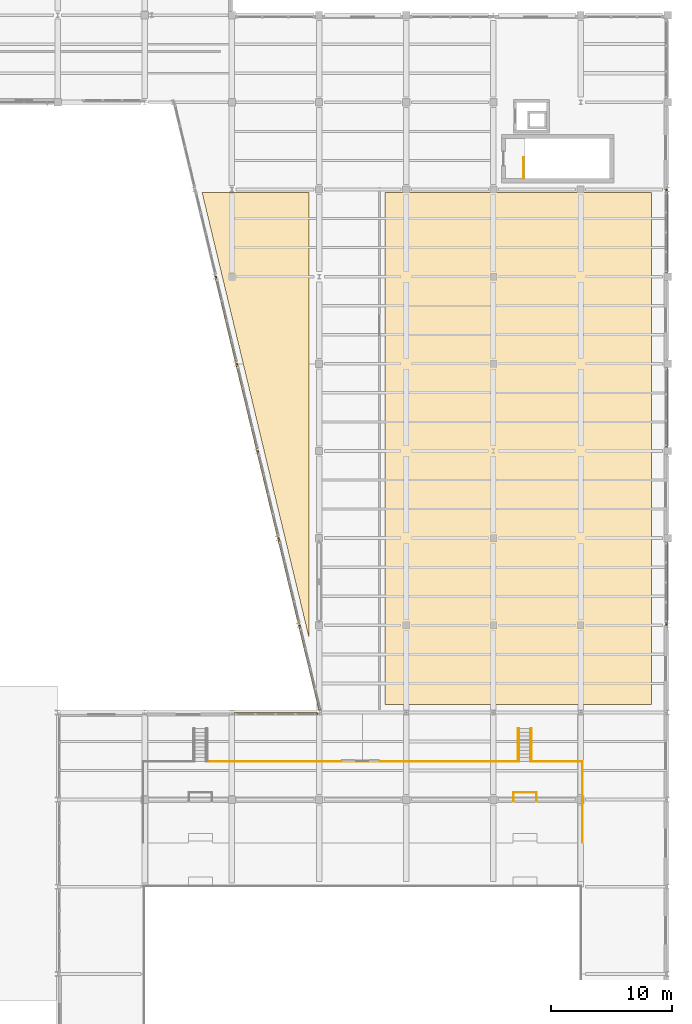
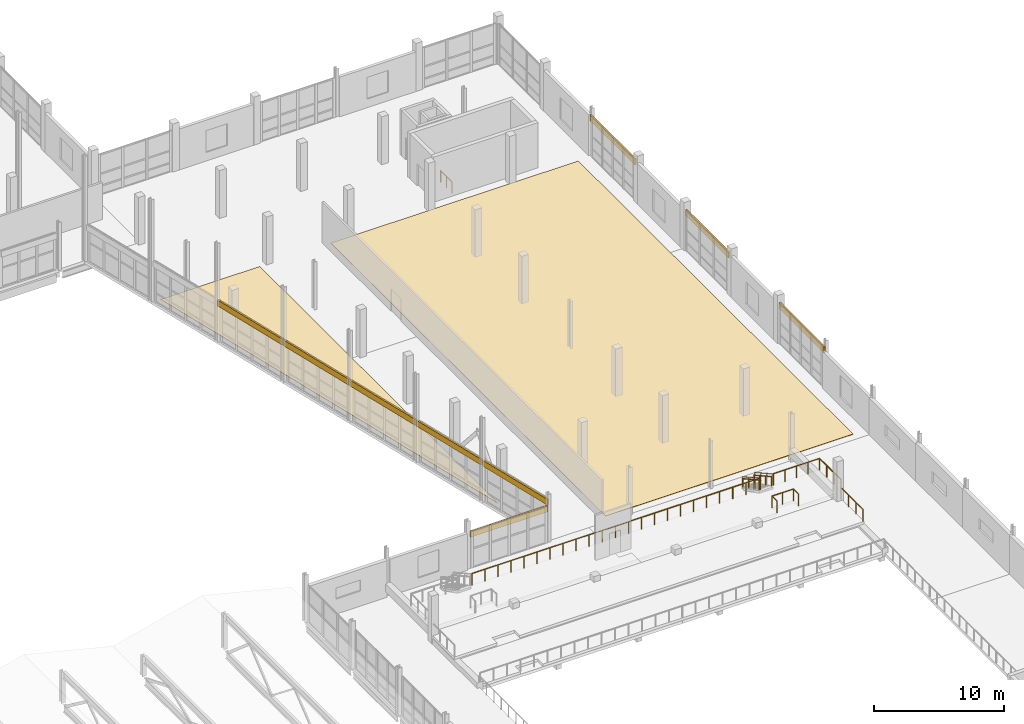
# One storey, part 122 of 123: 12 railings, 9 shading devices, 2 coverings.
"""IFC4 building model written with IfcOpenShell, lengths in metres."""

from ifc_helpers import new_model, si_unit, direction, frame, origin, origin_2d, place, context, subcontext, project, spatial, polyline, rectangle, circle, outline, extrude, material, layer, layer_set, type_object, element, save


model = new_model("IFC4")

# Units and contexts
model_context = context("Model", 3, precision=1e-05, world=origin(), true_north=direction((0.0, 1.0)))
body_context = subcontext(model_context, "Body", "Model", "MODEL_VIEW")
ifc_project = project(units=[si_unit("LENGTHUNIT", "METRE"), si_unit("AREAUNIT", "SQUARE_METRE"), si_unit("VOLUMEUNIT", "CUBIC_METRE"), si_unit("PLANEANGLEUNIT", "RADIAN"), si_unit("MASSUNIT", "GRAM", prefix="KILO")], contexts=[model_context])

# Site, building, storey
site_placement = place(None, origin())
site = spatial("IfcSite", under=ifc_project, at=site_placement, CompositionType="ELEMENT")
building_placement = place(site_placement, origin())
building = spatial("IfcBuilding", under=site, at=building_placement, Name="Kalmorath City Hall", CompositionType="ELEMENT")
storey_placement = place(building_placement, frame((0.0, 0.0, 10.199951171875)))
storey = spatial("IfcBuildingStorey", under=building, at=storey_placement, Name="L02", CompositionType="ELEMENT", Elevation=10.199951171875)

# Railings
ifc_material_1 = material(Name="Stainless steel and laminated glass", Category="steel")
railing_type_1 = type_object("IfcRailingType", Name="Atrium and gallery crowd guardrail 1120", PredefinedType="GUARDRAIL", material=ifc_material_1)
railing_1_placement = place(storey_placement, frame((158.550048828125, 35.85009765625, 1.5)))
element("IfcRailing", 1, at=railing_1_placement, inside=storey, type_object=railing_type_1, Name="L02 indoor void guardrail #5", PredefinedType="GUARDRAIL", context=body_context, shape_type="SweptSolid", body=[
    extrude(circle(Radius=0.02392578125, at=origin_2d()), frame((0.0, 0.0, 1.09619140625), z_axis=(0.0, 1.0, 0.0), x_axis=(-1.0, 0.0, 0.0)), (0.0, 0.0, 1.0), 3.2998046875),
    extrude(circle(Radius=0.02099609375, at=origin_2d()), origin(), (0.0, 0.0, 1.0), 1.072021484375),
    extrude(circle(Radius=0.02099609375, at=origin_2d()), frame((0.0, 1.099853515625, 0.0)), (0.0, 0.0, 1.0), 1.072021484375),
    extrude(circle(Radius=0.02099609375, at=origin_2d()), frame((0.0, 2.199951171875, 0.0)), (0.0, 0.0, 1.0), 1.072021484375),
    extrude(circle(Radius=0.02099609375, at=origin_2d()), frame((0.0, 3.2998046875, 0.0)), (0.0, 0.0, 1.0), 1.072021484375),
])
railing_2_placement = place(storey_placement, frame((127.64990234375, 39.14990234375, 1.5)))
element("IfcRailing", 2, at=railing_2_placement, inside=storey, type_object=railing_type_1, Name="L02 indoor void guardrail #7", PredefinedType="GUARDRAIL", context=body_context, shape_type="SweptSolid", body=[
    extrude(circle(Radius=0.02392578125, at=origin_2d()), frame((0.0, 0.0, 1.09619140625), z_axis=(1.0, 0.0, 0.0), x_axis=(0.0, 1.0, 0.0)), (0.0, 0.0, 1.0), 25.5),
    extrude(circle(Radius=0.02099609375, at=origin_2d()), origin(), (0.0, 0.0, 1.0), 1.072021484375),
    extrude(circle(Radius=0.02099609375, at=origin_2d()), frame((1.1591796875, 0.0, 0.0)), (0.0, 0.0, 1.0), 1.072021484375),
    extrude(circle(Radius=0.02099609375, at=origin_2d()), frame((2.318115234375, 0.0, 0.0)), (0.0, 0.0, 1.0), 1.072021484375),
    extrude(circle(Radius=0.02099609375, at=origin_2d()), frame((3.477294921875, 0.0, 0.0)), (0.0, 0.0, 1.0), 1.072021484375),
    extrude(circle(Radius=0.02099609375, at=origin_2d()), frame((4.636474609375, 0.0, 0.0)), (0.0, 0.0, 1.0), 1.072021484375),
    extrude(circle(Radius=0.02099609375, at=origin_2d()), frame((5.79541015625, 0.0, 0.0)), (0.0, 0.0, 1.0), 1.072021484375),
    extrude(circle(Radius=0.02099609375, at=origin_2d()), frame((6.95458984375, 0.0, 0.0)), (0.0, 0.0, 1.0), 1.072021484375),
    extrude(circle(Radius=0.02099609375, at=origin_2d()), frame((8.113525390625, 0.0, 0.0)), (0.0, 0.0, 1.0), 1.072021484375),
    extrude(circle(Radius=0.02099609375, at=origin_2d()), frame((9.272705078125, 0.0, 0.0)), (0.0, 0.0, 1.0), 1.072021484375),
    extrude(circle(Radius=0.02099609375, at=origin_2d()), frame((10.431884765625, 0.0, 0.0)), (0.0, 0.0, 1.0), 1.072021484375),
    extrude(circle(Radius=0.02099609375, at=origin_2d()), frame((11.5908203125, 0.0, 0.0)), (0.0, 0.0, 1.0), 1.072021484375),
    extrude(circle(Radius=0.02099609375, at=origin_2d()), frame((12.75, 0.0, 0.0)), (0.0, 0.0, 1.0), 1.072021484375),
    extrude(circle(Radius=0.02099609375, at=origin_2d()), frame((13.9091796875, 0.0, 0.0)), (0.0, 0.0, 1.0), 1.072021484375),
    extrude(circle(Radius=0.02099609375, at=origin_2d()), frame((15.068115234375, 0.0, 0.0)), (0.0, 0.0, 1.0), 1.072021484375),
    extrude(circle(Radius=0.02099609375, at=origin_2d()), frame((16.227294921875, 0.0, 0.0)), (0.0, 0.0, 1.0), 1.072021484375),
    extrude(circle(Radius=0.02099609375, at=origin_2d()), frame((17.386474609375, 0.0, 0.0)), (0.0, 0.0, 1.0), 1.072021484375),
    extrude(circle(Radius=0.02099609375, at=origin_2d()), frame((18.54541015625, 0.0, 0.0)), (0.0, 0.0, 1.0), 1.072021484375),
    extrude(circle(Radius=0.02099609375, at=origin_2d()), frame((19.70458984375, 0.0, 0.0)), (0.0, 0.0, 1.0), 1.072021484375),
    extrude(circle(Radius=0.02099609375, at=origin_2d()), frame((20.863525390625, 0.0, 0.0)), (0.0, 0.0, 1.0), 1.072021484375),
    extrude(circle(Radius=0.02099609375, at=origin_2d()), frame((22.022705078125, 0.0, 0.0)), (0.0, 0.0, 1.0), 1.072021484375),
    extrude(circle(Radius=0.02099609375, at=origin_2d()), frame((23.181884765625, 0.0, 0.0)), (0.0, 0.0, 1.0), 1.072021484375),
    extrude(circle(Radius=0.02099609375, at=origin_2d()), frame((24.3408203125, 0.0, 0.0)), (0.0, 0.0, 1.0), 1.072021484375),
    extrude(circle(Radius=0.02099609375, at=origin_2d()), frame((25.5, 0.0, 0.0)), (0.0, 0.0, 1.0), 1.072021484375),
])
railing_3_placement = place(storey_placement, frame((154.449951171875, 39.14990234375, 1.5)))
element("IfcRailing", 3, at=railing_3_placement, inside=storey, type_object=railing_type_1, Name="L02 indoor void guardrail #8", PredefinedType="GUARDRAIL", context=body_context, shape_type="SweptSolid", body=[
    extrude(circle(Radius=0.02392578125, at=origin_2d()), frame((0.0, 0.0, 1.09619140625), z_axis=(1.0, 0.0, 0.0), x_axis=(0.0, 1.0, 0.0)), (0.0, 0.0, 1.0), 4.10009765625),
    extrude(circle(Radius=0.02099609375, at=origin_2d()), origin(), (0.0, 0.0, 1.0), 1.072021484375),
    extrude(circle(Radius=0.02099609375, at=origin_2d()), frame((1.02490234375, 0.0, 0.0)), (0.0, 0.0, 1.0), 1.072021484375),
    extrude(circle(Radius=0.02099609375, at=origin_2d()), frame((2.050048828125, 0.0, 0.0)), (0.0, 0.0, 1.0), 1.072021484375),
    extrude(circle(Radius=0.02099609375, at=origin_2d()), frame((3.0751953125, 0.0, 0.0)), (0.0, 0.0, 1.0), 1.072021484375),
    extrude(circle(Radius=0.02099609375, at=origin_2d()), frame((4.10009765625, 0.0, 0.0)), (0.0, 0.0, 1.0), 1.072021484375),
])
for number, where, name in (
    (4, (152.85009765625, 35.85009765625, 1.5), "L02 indoor void guardrail #11"),
    (5, (154.75, 35.85009765625, 1.5), "L02 indoor void guardrail #12"),
):
    element("IfcRailing", number, at=place(storey_placement, frame(where)), inside=storey, type_object=railing_type_1, Name=name, PredefinedType="GUARDRAIL", context=body_context, shape_type="SweptSolid", body=[
        extrude(circle(Radius=0.02392578125, at=origin_2d()), frame((0.0, 0.0, 1.09619140625), z_axis=(0.0, 1.0, 0.0), x_axis=(-1.0, 0.0, 0.0)), (0.0, 0.0, 1.0), 0.75),
        extrude(circle(Radius=0.02099609375, at=origin_2d()), origin(), (0.0, 0.0, 1.0), 1.072021484375),
        extrude(circle(Radius=0.02099609375, at=origin_2d()), frame((0.0, 0.75, 0.0)), (0.0, 0.0, 1.0), 1.072021484375),
    ])
railing_4_placement = place(storey_placement, frame((152.85009765625, 36.60009765625, 1.5)))
element("IfcRailing", 6, at=railing_4_placement, inside=storey, type_object=railing_type_1, Name="L02 indoor void guardrail #14", PredefinedType="GUARDRAIL", context=body_context, shape_type="SweptSolid", body=[
    extrude(circle(Radius=0.02392578125, at=origin_2d()), frame((0.0, 0.0, 1.09619140625), z_axis=(1.0, 0.0, 0.0), x_axis=(0.0, 1.0, 0.0)), (0.0, 0.0, 1.0), 1.89990234375),
    extrude(circle(Radius=0.02099609375, at=origin_2d()), origin(), (0.0, 0.0, 1.0), 1.072021484375),
    extrude(circle(Radius=0.02099609375, at=origin_2d()), frame((0.949951171875, 0.0, 0.0)), (0.0, 0.0, 1.0), 1.072021484375),
    extrude(circle(Radius=0.02099609375, at=origin_2d()), frame((1.89990234375, 0.0, 0.0)), (0.0, 0.0, 1.0), 1.072021484375),
])
railing_5_placement = place(storey_placement, frame((158.550048828125, 32.449951171875, 0.75)))
element("IfcRailing", 7, at=railing_5_placement, inside=storey, type_object=railing_type_1, Name="L02 indoor void guardrail #16", PredefinedType="GUARDRAIL", context=body_context, shape_type="SweptSolid", body=[
    extrude(circle(Radius=0.02392578125, at=origin_2d()), frame((0.0, 0.0, 1.09619140625), z_axis=(0.0, 1.0, 0.0), x_axis=(-1.0, 0.0, 0.0)), (0.0, 0.0, 1.0), 3.400146484375),
    extrude(circle(Radius=0.02099609375, at=origin_2d()), origin(), (0.0, 0.0, 1.0), 1.072021484375),
    extrude(circle(Radius=0.02099609375, at=origin_2d()), frame((0.0, 1.13330078125, 0.0)), (0.0, 0.0, 1.0), 1.072021484375),
    extrude(circle(Radius=0.02099609375, at=origin_2d()), frame((0.0, 2.266845703125, 0.0)), (0.0, 0.0, 1.0), 1.072021484375),
    extrude(circle(Radius=0.02099609375, at=origin_2d()), frame((0.0, 3.400146484375, 0.0)), (0.0, 0.0, 1.0), 1.072021484375),
])

# Shading devices
ifc_material_2 = material(Name="Bronze anodised storm louvre")
ifc_layer_1 = layer(ifc_material_2, 0.139892578125)
ifc_layer_set_1 = layer_set([ifc_layer_1], Name="Bronze anodised storm louvre")
shading_device_type = type_object("IfcShadingDeviceType", Name="Hurricane bronze storm louvre bank", PredefinedType="JALOUSIE", material=ifc_layer_set_1)
shading_device_1_placement = place(storey_placement, frame((165.5, 82.950439453125, 3.26025390625), z_axis=(0.0, 0.0, 1.0), x_axis=(0.0, -1.0, 0.0)))
element("IfcShadingDevice", 8, at=shading_device_1_placement, inside=storey, type_object=shading_device_type, Name="L02 library storm louvre #243", PredefinedType="JALOUSIE", context=body_context, shape_type="SweptSolid", body=[
    extrude(rectangle(XDim=6.89892578125, YDim=0.139892578125, at=origin_2d()), origin(), (0.0, 0.0, 1.0), 0.550048828125),
])
shading_device_2_placement = place(storey_placement, frame((165.5, 68.39990234375, 3.26025390625), z_axis=(0.0, 0.0, 1.0), x_axis=(0.0, -1.0, 0.0)))
element("IfcShadingDevice", 9, at=shading_device_2_placement, inside=storey, type_object=shading_device_type, Name="L02 library storm louvre #244", PredefinedType="JALOUSIE", context=body_context, shape_type="SweptSolid", body=[
    extrude(rectangle(XDim=6.597900390625, YDim=0.139892578125, at=origin_2d()), origin(), (0.0, 0.0, 1.0), 0.550048828125),
])
shading_device_3_placement = place(storey_placement, frame((165.5, 53.849609375, 3.26025390625), z_axis=(0.0, 0.0, 1.0), x_axis=(0.0, -1.0, 0.0)))
element("IfcShadingDevice", 10, at=shading_device_3_placement, inside=storey, type_object=shading_device_type, Name="L02 library storm louvre #245", PredefinedType="JALOUSIE", context=body_context, shape_type="SweptSolid", body=[
    extrude(rectangle(XDim=6.89892578125, YDim=0.139892578125, at=origin_2d()), origin(), (0.0, 0.0, 1.0), 0.550048828125),
])
shading_device_4_placement = place(storey_placement, frame((133.228271484375, 43.10009765625, 2.89599609375), z_axis=(0.0, 0.0, 1.0), x_axis=(1.0, 0.0, 0.0)))
element("IfcShadingDevice", 11, at=shading_device_4_placement, inside=storey, type_object=shading_device_type, Name="L02 library storm louvre #246", PredefinedType="JALOUSIE", context=body_context, shape_type="SweptSolid", body=[
    extrude(rectangle(XDim=6.885498046875, YDim=0.139892578125, at=origin_2d()), origin(), (0.0, 0.0, 1.0), 0.550048828125),
])
for number, where, z_axis, x_axis, name in (
    (12, (136.015625, 46.895263671875, 3.26025390625), (0.0, 0.0, 1.0), (-0.233445363856, 0.972369920398, 0.0), "L02 library storm louvre #247"),
    (13, (134.287109375, 54.09521484375, 3.26025390625), (0.0, 0.0, 1.0), (-0.233445363856, 0.972369920398, 0.0), "L02 library storm louvre #248"),
    (14, (132.558349609375, 61.295166015625, 3.26025390625), (0.0, 0.0, 1.0), (-0.233445363856, 0.972369920398, 0.0), "L02 library storm louvre #249"),
    (15, (130.829833984375, 68.4951171875, 3.26025390625), (0.0, 0.0, 1.0), (-0.233445363856, 0.972369920398, 0.0), "L02 library storm louvre #250"),
    (16, (129.101318359375, 75.6953125, 3.26025390625), (0.0, 0.0, 1.0), (-0.233445363856, 0.972369920398, 0.0), "L02 library storm louvre #251"),
):
    element("IfcShadingDevice", number, at=place(storey_placement, frame(where, z_axis=z_axis, x_axis=x_axis)), inside=storey, type_object=shading_device_type, Name=name, PredefinedType="JALOUSIE", context=body_context, shape_type="SweptSolid", body=[
        extrude(rectangle(XDim=7.2568359375, YDim=0.139892578125, at=origin_2d()), origin(), (0.0, 0.0, 1.0), 0.550048828125),
    ])

# Coverings
ifc_material_3 = material(Name="Polished terrazzo finish")
ifc_layer_2 = layer(ifc_material_3, 0.034912109375)
ifc_layer_set_2 = layer_set([ifc_layer_2], Name="Polished terrazzo finish")
covering_type = type_object("IfcCoveringType", Name="Polished civic terrazzo floor finish 35", PredefinedType="FLOORING", material=ifc_layer_set_2)
covering_1_placement = place(storey_placement, origin())
element("IfcCovering", 17, at=covering_1_placement, inside=storey, type_object=covering_type, Name="L02 Members Library Reading Hall terrazzo flooring", PredefinedType="FLOORING", context=body_context, shape_type="SweptSolid", body=[
    extrude(outline(polyline([(164.25, 86.14990234375), (164.25, 43.85009765625), (142.25, 43.85009765625), (142.25, 86.14990234375), (164.25, 86.14990234375)])), origin(), (0.0, 0.0, 1.0), 0.03515625),
])
covering_2_placement = place(storey_placement, origin())
element("IfcCovering", 18, at=covering_2_placement, inside=storey, type_object=covering_type, Name="L02 Courtyard Reading Alcoves terrazzo flooring", PredefinedType="FLOORING", context=body_context, shape_type="SweptSolid", body=[
    extrude(outline(polyline([(135.949951171875, 86.14990234375), (135.949951171875, 49.43896484375), (127.135986328125, 86.14990234375), (135.949951171875, 86.14990234375)])), origin(), (0.0, 0.0, 1.0), 0.03515625),
])

# Railings
ifc_material_4 = material(Name="Painted steel guardrail", Category="steel")
railing_type_2 = type_object("IfcRailingType", Name="Protected stair guardrail 1100", PredefinedType="GUARDRAIL", material=ifc_material_4)
railing_6_placement = place(storey_placement, frame((153.699951171875, 87.300048828125, 0.0)))
element("IfcRailing", 19, at=railing_6_placement, inside=storey, type_object=railing_type_2, Name="L02 ST-6 top well guard 1", PredefinedType="GUARDRAIL", context=body_context, shape_type="SweptSolid", body=[
    extrude(circle(Radius=0.02392578125, at=origin_2d()), frame((0.0, 0.0, 1.076171875), z_axis=(0.0, 1.0, 0.0), x_axis=(-1.0, 0.0, 0.0)), (0.0, 0.0, 1.0), 1.75),
    extrude(circle(Radius=0.02099609375, at=origin_2d()), origin(), (0.0, 0.0, 1.0), 1.052001953125),
    extrude(circle(Radius=0.02099609375, at=origin_2d()), frame((0.0, 0.875, 0.0)), (0.0, 0.0, 1.0), 1.052001953125),
    extrude(circle(Radius=0.02099609375, at=origin_2d()), frame((0.0, 1.75, 0.0)), (0.0, 0.0, 1.0), 1.052001953125),
])
for number, where, name in (
    (20, (153.239990234375, 41.860107421875, 0.0), "Vomitory stair 2 guard W"),
    (21, (154.360107421875, 41.860107421875, 0.0), "Vomitory stair 2 guard E"),
):
    element("IfcRailing", number, at=place(storey_placement, frame(where)), inside=storey, type_object=railing_type_2, Name=name, PredefinedType="GUARDRAIL", context=body_context, shape_type="SweptSolid", body=[
        extrude(circle(Radius=0.02392578125, at=origin_2d()), frame((0.0, 0.0, 1.09619140625), z_axis=(0.0, -0.874172188743, 0.48561608749), x_axis=(1.0, 0.0, 0.0)), (0.0, 0.0, 1.0), 3.0888671875),
        extrude(circle(Radius=0.02099609375, at=origin_2d()), origin(), (0.0, 0.0, 1.0), 1.072021484375),
        extrude(circle(Radius=0.02099609375, at=origin_2d()), frame((0.0, -0.900146484375, 0.5)), (0.0, 0.0, 1.0), 1.072021484375),
        extrude(circle(Radius=0.02099609375, at=origin_2d()), frame((0.0, -1.800048828125, 1.0)), (0.0, 0.0, 1.0), 1.072021484375),
        extrude(circle(Radius=0.02099609375, at=origin_2d()), frame((0.0, -2.7001953125, 1.5)), (0.0, 0.0, 1.0), 1.072021484375),
    ])
ifc_material_5 = material(Name="Brushed stainless steel handrail", Category="steel")
railing_type_3 = type_object("IfcRailingType", Name="Stair pitch handrail 900", PredefinedType="HANDRAIL", material=ifc_material_5)
for number, where, name in (
    (22, (153.323974609375, 41.860107421875, 0.0), "Vomitory stair 2 handrail W"),
    (23, (154.27587890625, 41.860107421875, 0.0), "Vomitory stair 2 handrail E"),
):
    element("IfcRailing", number, at=place(storey_placement, frame(where)), inside=storey, type_object=railing_type_3, Name=name, PredefinedType="HANDRAIL", context=body_context, shape_type="SweptSolid", body=[
        extrude(circle(Radius=0.02392578125, at=origin_2d()), frame((0.0, 0.0, 0.8759765625), z_axis=(0.0, -0.874172188743, 0.48561608749), x_axis=(1.0, 0.0, 0.0)), (0.0, 0.0, 1.0), 3.0888671875),
        extrude(circle(Radius=0.02099609375, at=origin_2d()), origin(), (0.0, 0.0, 1.0), 0.851806640625),
        extrude(circle(Radius=0.02099609375, at=origin_2d()), frame((0.0, -0.900146484375, 0.5)), (0.0, 0.0, 1.0), 0.851806640625),
        extrude(circle(Radius=0.02099609375, at=origin_2d()), frame((0.0, -1.800048828125, 1.0)), (0.0, 0.0, 1.0), 0.851806640625),
        extrude(circle(Radius=0.02099609375, at=origin_2d()), frame((0.0, -2.7001953125, 1.5)), (0.0, 0.0, 1.0), 0.851806640625),
    ])

save(model, "model.ifc")
